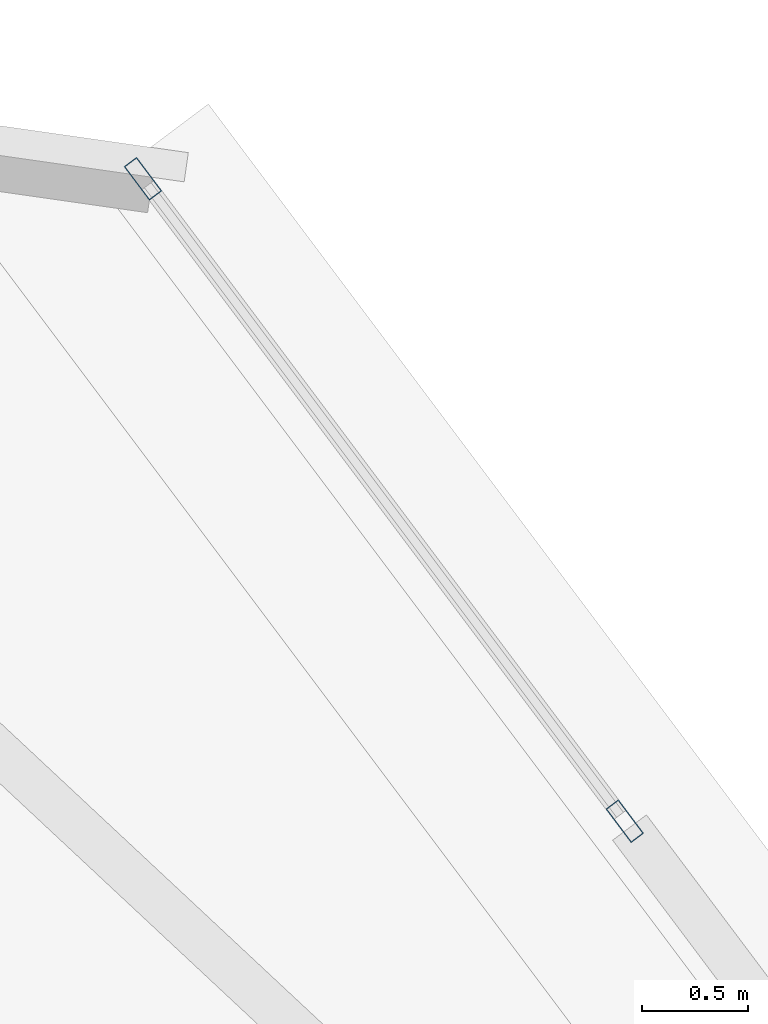
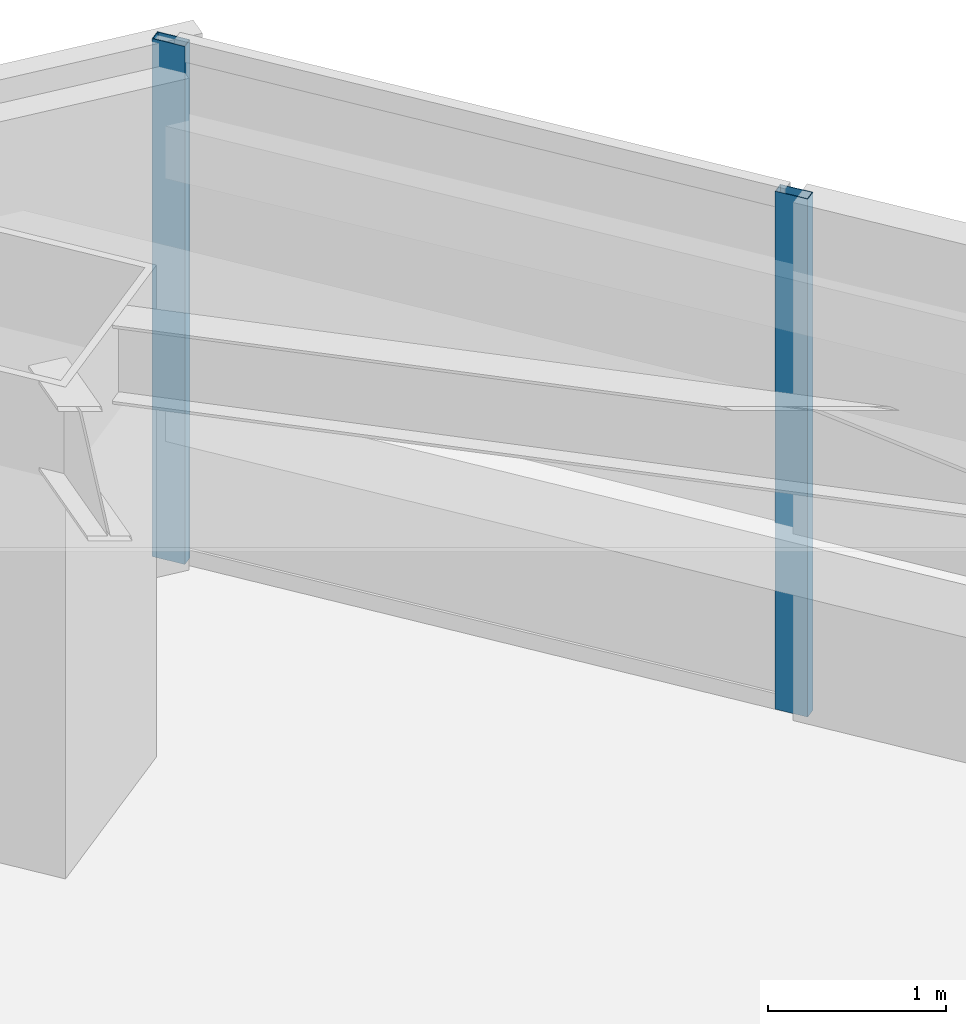
# One storey, part 32 of 46: 2 members, 1 element without a shape of its own.
"""IFC4 building model written with IfcOpenShell, lengths in metres."""

from ifc_helpers import new_model, si_unit, direction, frame, origin, origin_2d, place, context, subcontext, project, spatial, hollow_rectangle, extrude, material, material_profile, profile_set, type_object, element, aggregate, save


model = new_model("IFC4")

# Units and contexts
model_context = context("Model", 3, precision=1e-05, world=origin(), true_north=direction((0.0, 1.0)))
body_context = subcontext(model_context, "Body", "Model", "MODEL_VIEW")
ifc_project = project(units=[si_unit("LENGTHUNIT", "METRE"), si_unit("AREAUNIT", "SQUARE_METRE"), si_unit("VOLUMEUNIT", "CUBIC_METRE"), si_unit("PLANEANGLEUNIT", "RADIAN"), si_unit("MASSUNIT", "GRAM", prefix="KILO")], contexts=[model_context])

# Site, building, storey
site_placement = place(None, origin())
site = spatial("IfcSite", under=ifc_project, at=site_placement, CompositionType="ELEMENT")
building_placement = place(site_placement, origin())
building = spatial("IfcBuilding", under=site, at=building_placement, Name="Tashvorn Skyway Center", CompositionType="ELEMENT")
storey_placement = place(building_placement, frame((0.0, 0.0, 132.14990234375)))
storey = spatial("IfcBuildingStorey", under=building, at=storey_placement, Name="L35", CompositionType="ELEMENT", Elevation=132.14990234375)

# Curtain wall, members
ifc_material = material(Name="Thermally broken bronze-anodized aluminium 6063-T6", Category="aluminium")
curtain_wall_type = type_object("IfcCurtainWallType", Name="CW-CW-Z3", PredefinedType="NOTDEFINED", material=ifc_material)
curtain_wall_placement = place(storey_placement, origin())
curtain_wall = element("IfcCurtainWall", 1, at=curtain_wall_placement, inside=storey, type_object=curtain_wall_type, Name="Tower 2 L35 East Curtain Wall L Glazing Group 1", PredefinedType="NOTDEFINED")
ifc_material_profile = material_profile(ifc_material, hollow_rectangle(XDim=0.074951171875, YDim=0.199951171875, WallThickness=0.00439453125, at=origin_2d()), Name="ALU-MULL-75x200")
ifc_profile_set = profile_set([ifc_material_profile], Name="Thermally broken bronze-anodized aluminium 6063-T6")
member_type = type_object("IfcMemberType", Name="CWM-CW-Z3", PredefinedType="MULLION", material=ifc_profile_set)
member_1_placement = place(storey_placement, frame((119.118408203125, 55.64208984375, 0.0), z_axis=(0.0, 0.0, 1.0), x_axis=(0.799996904524, 0.600004127279, 0.0)))
member_1 = element("IfcMember", 2, at=member_1_placement, type_object=member_type, Name="CW-Z3 mullion 1", PredefinedType="MULLION", context=body_context, shape_type="SweptSolid", body=[
    extrude(hollow_rectangle(XDim=0.074951171875, YDim=0.199951171875, WallThickness=0.00439453125, at=origin_2d()), origin(), (0.0, 0.0, 1.0), 3.550048828125),
])
member_2_placement = place(storey_placement, frame((121.3994140625, 52.6005859375, 0.0), z_axis=(0.0, 0.0, 1.0), x_axis=(0.799996904524, 0.600004127279, 0.0)))
member_2 = element("IfcMember", 3, at=member_2_placement, type_object=member_type, Name="CW-Z3 mullion 2", PredefinedType="MULLION", context=body_context, shape_type="SweptSolid", body=[
    extrude(hollow_rectangle(XDim=0.074951171875, YDim=0.199951171875, WallThickness=0.00439453125, at=origin_2d()), origin(), (0.0, 0.0, 1.0), 3.550048828125),
])
aggregate(curtain_wall, [member_1, member_2])

save(model, "model.ifc")
